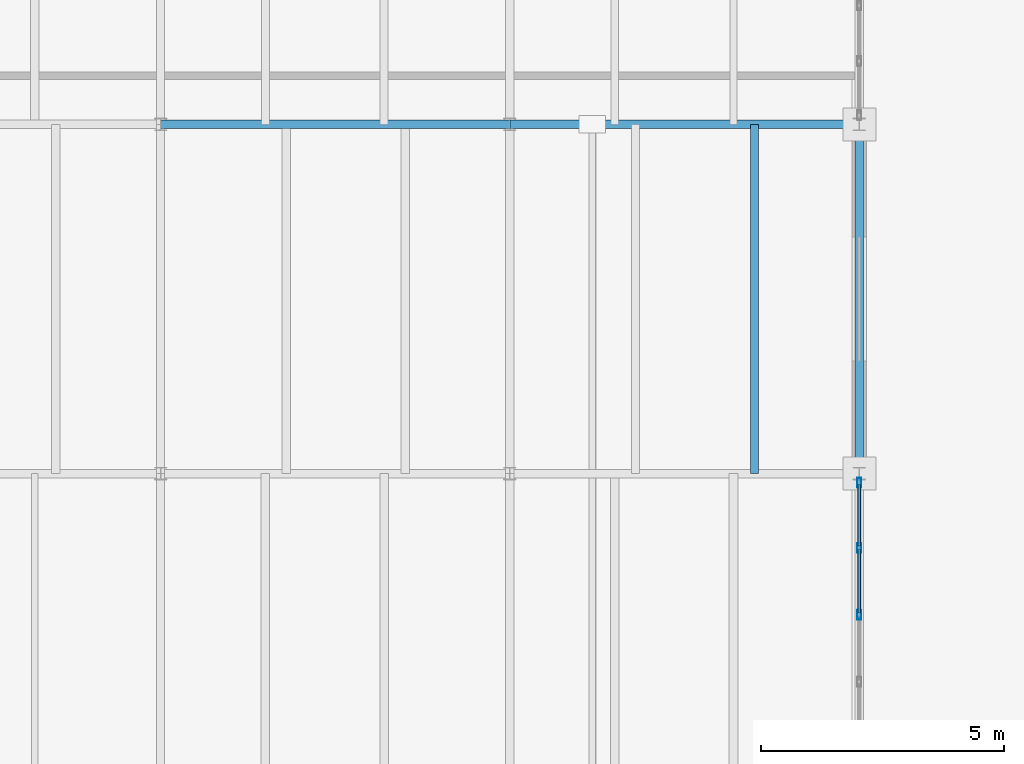
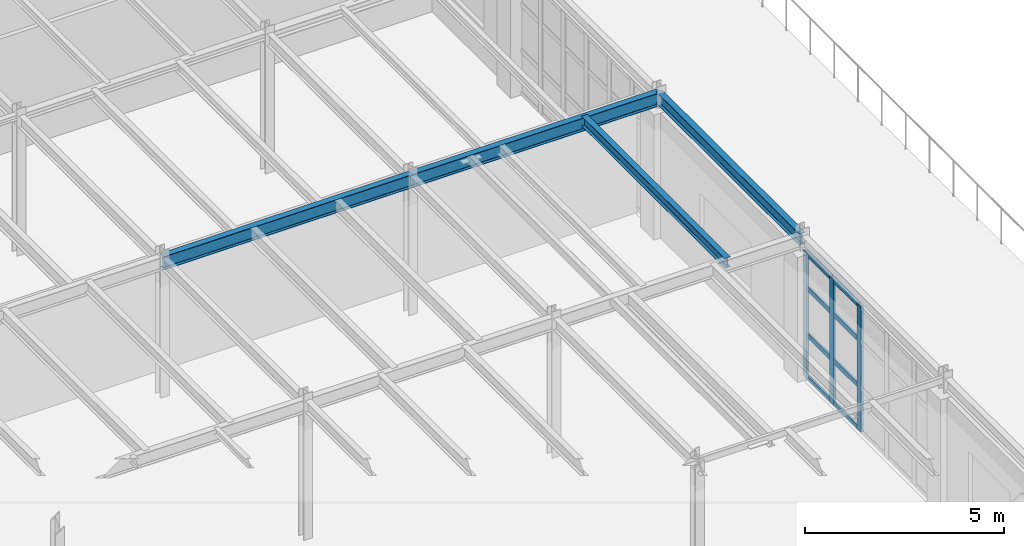
# One storey, part 22 of 36: 11 members, 4 beams, 1 element without a shape of its own.
"""IFC4 building model written with IfcOpenShell, lengths in metres."""

from ifc_helpers import new_model, si_unit, direction, frame, origin, origin_2d, place, context, subcontext, project, spatial, hollow_rectangle, i_section, extrude, material, layer, layer_set, material_profile, profile_set, type_object, element, aggregate, save


model = new_model("IFC4")

# Units and contexts
model_context = context("Model", 3, precision=1e-05, world=origin(), true_north=direction((0.0, 1.0)))
body_context = subcontext(model_context, "Body", "Model", "MODEL_VIEW")
ifc_project = project(units=[si_unit("LENGTHUNIT", "METRE"), si_unit("AREAUNIT", "SQUARE_METRE"), si_unit("VOLUMEUNIT", "CUBIC_METRE"), si_unit("PLANEANGLEUNIT", "RADIAN"), si_unit("MASSUNIT", "GRAM", prefix="KILO")], contexts=[model_context])

# Site, building, storey
site_placement = place(None, origin())
site = spatial("IfcSite", under=ifc_project, at=site_placement, CompositionType="ELEMENT")
building_placement = place(site_placement, origin())
building = spatial("IfcBuilding", under=site, at=building_placement, Name="Kemerveld Promenade Tramway Depot", CompositionType="ELEMENT")
storey_placement = place(building_placement, frame((0.0, 0.0, 14.39990234375)))
storey = spatial("IfcBuildingStorey", under=building, at=storey_placement, Name="L03", CompositionType="ELEMENT", Elevation=14.39990234375)

# Beams
ifc_material_1 = material(Name="Steel S355", Category="steel")
ifc_material_profile_1 = material_profile(ifc_material_1, i_section(OverallWidth=0.1787109375, OverallDepth=0.409423828125, WebThickness=0.0087890625, FlangeThickness=0.014404296875, FilletRadius=0.01025390625, at=origin_2d()), Name="406x178x67 UB")
ifc_profile_set_1 = profile_set([ifc_material_profile_1], Name="Steel S355")
beam_type_1 = type_object("IfcBeamType", Name="BM-G07", PredefinedType="BEAM", material=ifc_profile_set_1)
for number, where, z_axis, x_axis, name in (
    (1, (28.800048828125, 43.199951171875, 4.080322265625), (1.0, 0.0, 0.0), (0.0, 1.0, 0.0), "BMX-L03-05-06-G"),
    (2, (36.0, 43.199951171875, 4.080322265625), (1.0, 0.0, 0.0), (0.0, 1.0, 0.0), "BMX-L03-06-07-G"),
):
    element("IfcBeam", number, at=place(storey_placement, frame(where, z_axis=z_axis, x_axis=x_axis)), inside=storey, type_object=beam_type_1, Name=name, PredefinedType="BEAM", context=body_context, shape_type="SweptSolid", body=[
        extrude(i_section(OverallWidth=0.1787109375, OverallDepth=0.409423828125, WebThickness=0.0087890625, FlangeThickness=0.014404296875, FilletRadius=0.01025390625, at=origin_2d()), origin(), (0.0, 0.0, 1.0), 7.199951171875),
    ])
ifc_material_profile_2 = material_profile(ifc_material_1, i_section(OverallWidth=0.172119140625, OverallDepth=0.35791015625, WebThickness=0.008056640625, FlangeThickness=0.012939453125, FilletRadius=0.01025390625, at=origin_2d()), Name="356x171x57 UB")
ifc_profile_set_2 = profile_set([ifc_material_profile_2], Name="Steel S355")
beam_type_2 = type_object("IfcBeamType", Name="BM-G08", PredefinedType="BEAM", material=ifc_profile_set_2)
beam_1_placement = place(storey_placement, frame((43.199951171875, 36.0, 4.106201171875), z_axis=(0.0, 1.0, 0.0), x_axis=(-1.0, 0.0, 0.0)))
element("IfcBeam", 3, at=beam_1_placement, inside=storey, type_object=beam_type_2, Name="BMY-L03-07-F-G", PredefinedType="BEAM", context=body_context, shape_type="SweptSolid", body=[
    extrude(i_section(OverallWidth=0.172119140625, OverallDepth=0.35791015625, WebThickness=0.008056640625, FlangeThickness=0.012939453125, FilletRadius=0.01025390625, at=origin_2d()), origin(), (0.0, 0.0, 1.0), 7.199951171875),
])
ifc_material_profile_3 = material_profile(ifc_material_1, i_section(OverallWidth=0.165771484375, OverallDepth=0.306640625, WebThickness=0.006591796875, FlangeThickness=0.01171875, FilletRadius=0.0087890625, at=origin_2d()), Name="305x165x46 UB")
ifc_profile_set_3 = profile_set([ifc_material_profile_3], Name="Steel S355")
beam_type_3 = type_object("IfcBeamType", Name="BM-J01", PredefinedType="JOIST", material=ifc_profile_set_3)
beam_2_placement = place(storey_placement, frame((41.0400390625, 36.0, 4.1318359375), z_axis=(0.0, 1.0, 0.0), x_axis=(-1.0, 0.0, 0.0)))
element("IfcBeam", 4, at=beam_2_placement, inside=storey, type_object=beam_type_3, Name="JST-L03-06-F-2", PredefinedType="JOIST", context=body_context, shape_type="SweptSolid", body=[
    extrude(i_section(OverallWidth=0.165771484375, OverallDepth=0.306640625, WebThickness=0.006591796875, FlangeThickness=0.01171875, FilletRadius=0.0087890625, at=origin_2d()), origin(), (0.0, 0.0, 1.0), 7.199951171875),
])

# Curtain wall, members
ifc_material_2 = material(Name="Bronze anodised aluminium and solar glass", Category="aluminium")
ifc_layer = layer(ifc_material_2, 0.199951171875)
ifc_layer_set = layer_set([ifc_layer], Name="CW-SYS-08")
curtain_wall_type = type_object("IfcCurtainWallType", Name="CW-SYS-08", PredefinedType="USERDEFINED", material=ifc_layer_set)
curtain_wall_placement = place(storey_placement, origin())
curtain_wall = element("IfcCurtainWall", 5, at=curtain_wall_placement, inside=storey, type_object=curtain_wall_type, Name="CW-L03-V5E-05", ObjectType="GLAZED_CURTAIN_WALL", PredefinedType="USERDEFINED")
ifc_material_3 = material(Name="Bronze anodised aluminium", Category="aluminium")
ifc_material_profile_4 = material_profile(ifc_material_3, hollow_rectangle(XDim=0.074951171875, YDim=0.199951171875, WallThickness=0.0048828125, InnerFilletRadius=0.001953125, OuterFilletRadius=0.0048828125, at=origin_2d()), Name="CW-MUL-200x75")
ifc_profile_set_4 = profile_set([ifc_material_profile_4], Name="Bronze anodised aluminium")
member_type_1 = type_object("IfcMemberType", Name="CW-MUL-B", PredefinedType="MULLION", material=ifc_profile_set_4)
member_1_placement = place(storey_placement, frame((43.199951171875, 35.8125, 0.0), z_axis=(0.0, 0.0, 1.0), x_axis=(1.0, 0.0, 0.0)))
member_1 = element("IfcMember", 6, at=member_1_placement, type_object=member_type_1, Name="CW08 mullion 1", PredefinedType="MULLION", context=body_context, shape_type="SweptSolid", body=[
    extrude(hollow_rectangle(XDim=0.074951171875, YDim=0.199951171875, WallThickness=0.0048828125, InnerFilletRadius=0.001953125, OuterFilletRadius=0.0048828125, at=origin_2d()), origin(), (0.0, 0.0, 1.0), 3.85009765625),
])
member_2_placement = place(storey_placement, frame((43.199951171875, 34.469970703125, 0.0), z_axis=(0.0, 0.0, 1.0), x_axis=(1.0, 0.0, 0.0)))
member_2 = element("IfcMember", 7, at=member_2_placement, type_object=member_type_1, Name="CW08 mullion 2", PredefinedType="MULLION", context=body_context, shape_type="SweptSolid", body=[
    extrude(hollow_rectangle(XDim=0.074951171875, YDim=0.199951171875, WallThickness=0.0048828125, InnerFilletRadius=0.001953125, OuterFilletRadius=0.0048828125, at=origin_2d()), origin(), (0.0, 0.0, 1.0), 3.85009765625),
])
member_3_placement = place(storey_placement, frame((43.199951171875, 33.090087890625, 0.0), z_axis=(0.0, 0.0, 1.0), x_axis=(1.0, 0.0, 0.0)))
member_3 = element("IfcMember", 8, at=member_3_placement, type_object=member_type_1, Name="CW08 mullion 3", PredefinedType="MULLION", context=body_context, shape_type="SweptSolid", body=[
    extrude(hollow_rectangle(XDim=0.074951171875, YDim=0.199951171875, WallThickness=0.0048828125, InnerFilletRadius=0.001953125, OuterFilletRadius=0.0048828125, at=origin_2d()), origin(), (0.0, 0.0, 1.0), 3.85009765625),
])
ifc_material_profile_5 = material_profile(ifc_material_3, hollow_rectangle(XDim=0.06494140625, YDim=0.14990234375, WallThickness=0.00439453125, InnerFilletRadius=0.001953125, OuterFilletRadius=0.00439453125, at=origin_2d()), Name="CW-TRN-150x65")
ifc_profile_set_5 = profile_set([ifc_material_profile_5], Name="Bronze anodised aluminium")
member_type_2 = type_object("IfcMemberType", Name="CW-TRN-B", PredefinedType="USERDEFINED", material=ifc_profile_set_5)
member_4_placement = place(storey_placement, frame((43.199951171875, 35.77490234375, 0.03271484375), z_axis=(0.0, -1.0, 0.0), x_axis=(1.0, 0.0, 0.0)))
member_4 = element("IfcMember", 9, at=member_4_placement, type_object=member_type_2, Name="CW08 transom 1.1", ObjectType="TRANSOM", PredefinedType="USERDEFINED", context=body_context, shape_type="SweptSolid", body=[
    extrude(hollow_rectangle(XDim=0.06494140625, YDim=0.14990234375, WallThickness=0.00439453125, InnerFilletRadius=0.001953125, OuterFilletRadius=0.00439453125, at=origin_2d()), origin(), (0.0, 0.0, 1.0), 1.267333984375),
])
member_5_placement = place(storey_placement, frame((43.199951171875, 35.77490234375, 1.34814453125), z_axis=(0.0, -1.0, 0.0), x_axis=(1.0, 0.0, 0.0)))
member_5 = element("IfcMember", 10, at=member_5_placement, type_object=member_type_2, Name="CW08 transom 1.2", ObjectType="TRANSOM", PredefinedType="USERDEFINED", context=body_context, shape_type="SweptSolid", body=[
    extrude(hollow_rectangle(XDim=0.06494140625, YDim=0.14990234375, WallThickness=0.00439453125, InnerFilletRadius=0.001953125, OuterFilletRadius=0.00439453125, at=origin_2d()), origin(), (0.0, 0.0, 1.0), 1.267333984375),
])
member_6_placement = place(storey_placement, frame((43.199951171875, 35.77490234375, 2.772216796875), z_axis=(0.0, -1.0, 0.0), x_axis=(1.0, 0.0, 0.0)))
member_6 = element("IfcMember", 11, at=member_6_placement, type_object=member_type_2, Name="CW08 transom 1.3", ObjectType="TRANSOM", PredefinedType="USERDEFINED", context=body_context, shape_type="SweptSolid", body=[
    extrude(hollow_rectangle(XDim=0.06494140625, YDim=0.14990234375, WallThickness=0.00439453125, InnerFilletRadius=0.001953125, OuterFilletRadius=0.00439453125, at=origin_2d()), origin(), (0.0, 0.0, 1.0), 1.267333984375),
])
member_7_placement = place(storey_placement, frame((43.199951171875, 35.77490234375, 3.817626953125), z_axis=(0.0, -1.0, 0.0), x_axis=(1.0, 0.0, 0.0)))
member_7 = element("IfcMember", 12, at=member_7_placement, type_object=member_type_2, Name="CW08 transom 1.4", ObjectType="TRANSOM", PredefinedType="USERDEFINED", context=body_context, shape_type="SweptSolid", body=[
    extrude(hollow_rectangle(XDim=0.06494140625, YDim=0.14990234375, WallThickness=0.00439453125, InnerFilletRadius=0.001953125, OuterFilletRadius=0.00439453125, at=origin_2d()), origin(), (0.0, 0.0, 1.0), 1.267333984375),
])
member_8_placement = place(storey_placement, frame((43.199951171875, 34.432373046875, 0.03271484375), z_axis=(0.0, -1.0, 0.0), x_axis=(1.0, 0.0, 0.0)))
member_8 = element("IfcMember", 13, at=member_8_placement, type_object=member_type_2, Name="CW08 transom 2.1", ObjectType="TRANSOM", PredefinedType="USERDEFINED", context=body_context, shape_type="SweptSolid", body=[
    extrude(hollow_rectangle(XDim=0.06494140625, YDim=0.14990234375, WallThickness=0.00439453125, InnerFilletRadius=0.001953125, OuterFilletRadius=0.00439453125, at=origin_2d()), origin(), (0.0, 0.0, 1.0), 1.304931640625),
])
member_9_placement = place(storey_placement, frame((43.199951171875, 34.432373046875, 1.34814453125), z_axis=(0.0, -1.0, 0.0), x_axis=(1.0, 0.0, 0.0)))
member_9 = element("IfcMember", 14, at=member_9_placement, type_object=member_type_2, Name="CW08 transom 2.2", ObjectType="TRANSOM", PredefinedType="USERDEFINED", context=body_context, shape_type="SweptSolid", body=[
    extrude(hollow_rectangle(XDim=0.06494140625, YDim=0.14990234375, WallThickness=0.00439453125, InnerFilletRadius=0.001953125, OuterFilletRadius=0.00439453125, at=origin_2d()), origin(), (0.0, 0.0, 1.0), 1.304931640625),
])
member_10_placement = place(storey_placement, frame((43.199951171875, 34.432373046875, 2.772216796875), z_axis=(0.0, -1.0, 0.0), x_axis=(1.0, 0.0, 0.0)))
member_10 = element("IfcMember", 15, at=member_10_placement, type_object=member_type_2, Name="CW08 transom 2.3", ObjectType="TRANSOM", PredefinedType="USERDEFINED", context=body_context, shape_type="SweptSolid", body=[
    extrude(hollow_rectangle(XDim=0.06494140625, YDim=0.14990234375, WallThickness=0.00439453125, InnerFilletRadius=0.001953125, OuterFilletRadius=0.00439453125, at=origin_2d()), origin(), (0.0, 0.0, 1.0), 1.304931640625),
])
member_11_placement = place(storey_placement, frame((43.199951171875, 34.432373046875, 3.817626953125), z_axis=(0.0, -1.0, 0.0), x_axis=(1.0, 0.0, 0.0)))
member_11 = element("IfcMember", 16, at=member_11_placement, type_object=member_type_2, Name="CW08 transom 2.4", ObjectType="TRANSOM", PredefinedType="USERDEFINED", context=body_context, shape_type="SweptSolid", body=[
    extrude(hollow_rectangle(XDim=0.06494140625, YDim=0.14990234375, WallThickness=0.00439453125, InnerFilletRadius=0.001953125, OuterFilletRadius=0.00439453125, at=origin_2d()), origin(), (0.0, 0.0, 1.0), 1.304931640625),
])
aggregate(curtain_wall, [member_1, member_2, member_3, member_4, member_5, member_6, member_7, member_8, member_9, member_10, member_11])

save(model, "model.ifc")
